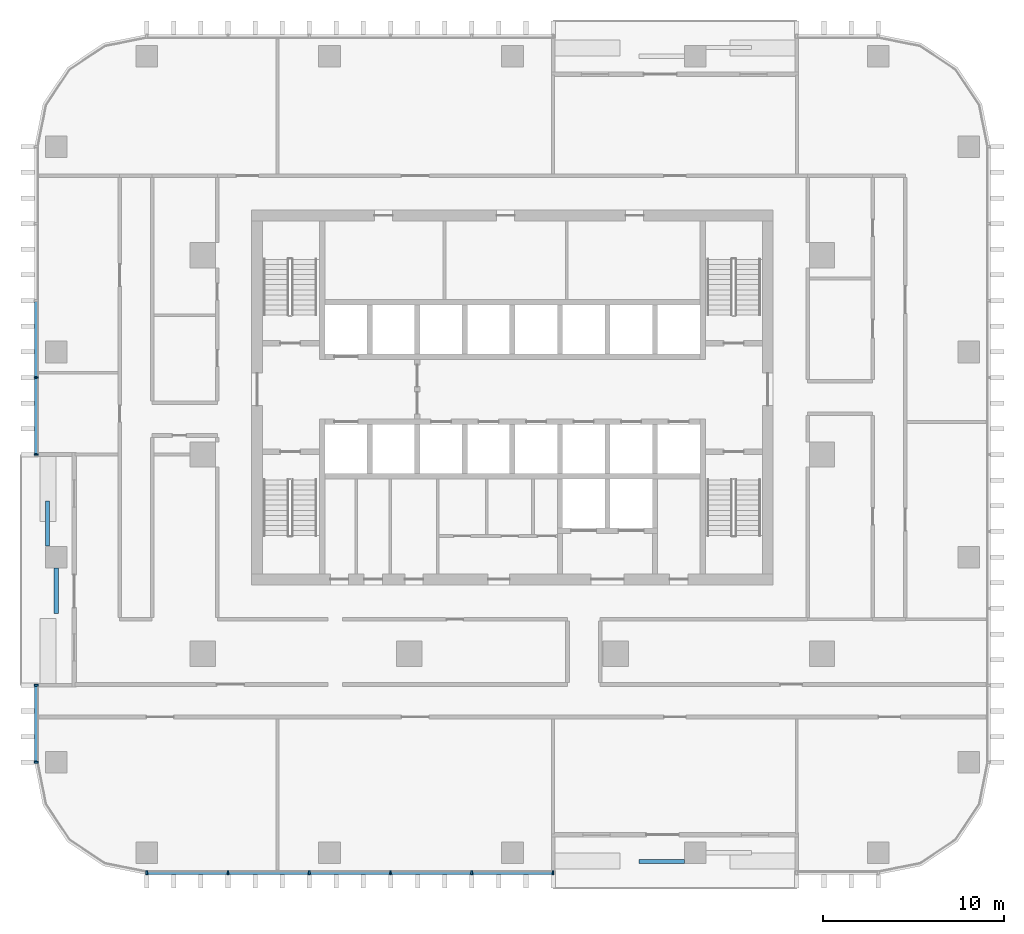
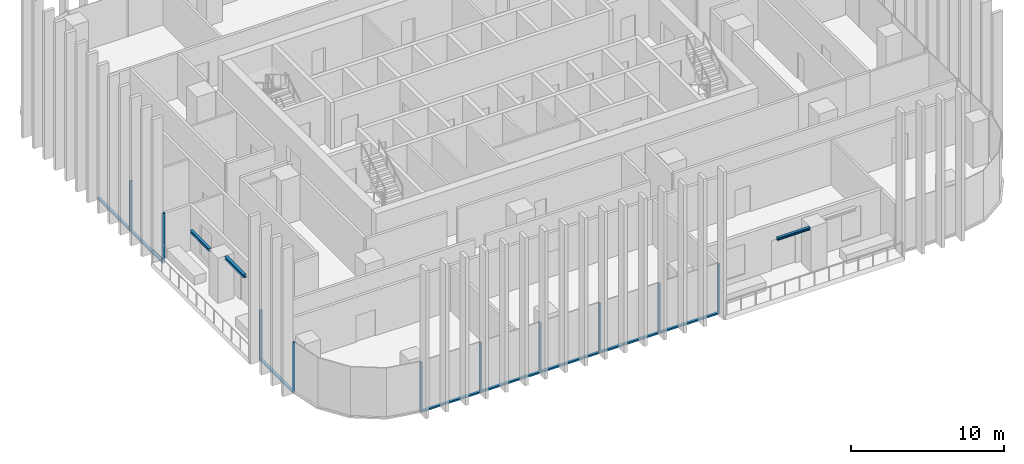
# One storey, part 2 of 16: 18 members, 3 beams, 3 elements without a shape of their own.
"""IFC4 building model written with IfcOpenShell, lengths in metres."""

from ifc_helpers import new_model, si_unit, direction, frame, origin, origin_2d, place, context, subcontext, project, spatial, rectangle, i_section, extrude, material, material_profile, profile_set, type_object, element, aggregate, save


model = new_model("IFC4")

# Units and contexts
model_context = context("Model", 3, precision=1e-05, world=origin(), true_north=direction((0.0, 1.0)))
body_context = subcontext(model_context, "Body", "Model", "MODEL_VIEW")
ifc_project = project(units=[si_unit("LENGTHUNIT", "METRE"), si_unit("AREAUNIT", "SQUARE_METRE"), si_unit("VOLUMEUNIT", "CUBIC_METRE"), si_unit("PLANEANGLEUNIT", "RADIAN"), si_unit("MASSUNIT", "GRAM", prefix="KILO")], contexts=[model_context])

# Site, building, storey
site_placement = place(None, origin())
site = spatial("IfcSite", under=ifc_project, at=site_placement, CompositionType="ELEMENT")
building_placement = place(site_placement, origin())
building = spatial("IfcBuilding", under=site, at=building_placement, Name="Mopane Tessera Tower", CompositionType="ELEMENT")
storey_placement = place(building_placement, frame((0.0, 0.0, 193.0)))
storey = spatial("IfcBuildingStorey", under=building, at=storey_placement, Name="L40", CompositionType="ELEMENT", Elevation=193.0)

# Curtain wall, members
ifc_material_1 = material(Name="Aluminium frame", Category="aluminium")
curtain_wall_type = type_object("IfcCurtainWallType", Name="Unitised curtain wall", PredefinedType="NOTDEFINED", material=ifc_material_1)
curtain_wall_1_placement = place(storey_placement, origin())
curtain_wall_1 = element("IfcCurtainWall", 1, at=curtain_wall_1_placement, inside=storey, type_object=curtain_wall_type, Name="e:cw:L40:S:0", PredefinedType="NOTDEFINED")
ifc_material_2 = material(Name="Aluminium frame", Category="aluminium")
ifc_material_profile_1 = material_profile(ifc_material_2, rectangle(XDim=0.10009765625, YDim=0.199951171875, at=origin_2d()))
ifc_profile_set_1 = profile_set([ifc_material_profile_1], Name="Aluminium frame")
member_type_1 = type_object("IfcMemberType", Name="Aluminium mullion 100 x 200", PredefinedType="MULLION", material=ifc_profile_set_1)
member_1_placement = place(storey_placement, frame((-20.199951171875, -23.10009765625, -0.39990234375), z_axis=(0.0, 0.0, 1.0), x_axis=(1.0, 0.0, 0.0)))
member_1 = element("IfcMember", 2, at=member_1_placement, type_object=member_type_1, Name="e:cw:L40:S:0:mu0", PredefinedType="MULLION", context=body_context, shape_type="SweptSolid", body=[
    extrude(rectangle(XDim=0.10009765625, YDim=0.199951171875, at=origin_2d()), origin(), (0.0, 0.0, 1.0), 4.0),
])
member_2_placement = place(storey_placement, frame((-15.711181640625, -23.10009765625, -0.39990234375), z_axis=(0.0, 0.0, 1.0), x_axis=(1.0, 0.0, 0.0)))
member_2 = element("IfcMember", 3, at=member_2_placement, type_object=member_type_1, Name="e:cw:L40:S:0:mu1", PredefinedType="MULLION", context=body_context, shape_type="SweptSolid", body=[
    extrude(rectangle(XDim=0.10009765625, YDim=0.199951171875, at=origin_2d()), origin(), (0.0, 0.0, 1.0), 4.0),
])
member_3_placement = place(storey_placement, frame((-11.22216796875, -23.10009765625, -0.39990234375), z_axis=(0.0, 0.0, 1.0), x_axis=(1.0, 0.0, 0.0)))
member_3 = element("IfcMember", 4, at=member_3_placement, type_object=member_type_1, Name="e:cw:L40:S:0:mu2", PredefinedType="MULLION", context=body_context, shape_type="SweptSolid", body=[
    extrude(rectangle(XDim=0.10009765625, YDim=0.199951171875, at=origin_2d()), origin(), (0.0, 0.0, 1.0), 4.0),
])
member_4_placement = place(storey_placement, frame((-6.7333984375, -23.10009765625, -0.39990234375), z_axis=(0.0, 0.0, 1.0), x_axis=(1.0, 0.0, 0.0)))
member_4 = element("IfcMember", 5, at=member_4_placement, type_object=member_type_1, Name="e:cw:L40:S:0:mu3", PredefinedType="MULLION", context=body_context, shape_type="SweptSolid", body=[
    extrude(rectangle(XDim=0.10009765625, YDim=0.199951171875, at=origin_2d()), origin(), (0.0, 0.0, 1.0), 4.0),
])
member_5_placement = place(storey_placement, frame((-2.244384765625, -23.10009765625, -0.39990234375), z_axis=(0.0, 0.0, 1.0), x_axis=(1.0, 0.0, 0.0)))
member_5 = element("IfcMember", 6, at=member_5_placement, type_object=member_type_1, Name="e:cw:L40:S:0:mu4", PredefinedType="MULLION", context=body_context, shape_type="SweptSolid", body=[
    extrude(rectangle(XDim=0.10009765625, YDim=0.199951171875, at=origin_2d()), origin(), (0.0, 0.0, 1.0), 4.0),
])
member_6_placement = place(storey_placement, frame((2.244384765625, -23.10009765625, -0.39990234375), z_axis=(0.0, 0.0, 1.0), x_axis=(1.0, 0.0, 0.0)))
member_6 = element("IfcMember", 7, at=member_6_placement, type_object=member_type_1, Name="e:cw:L40:S:0:mu5", PredefinedType="MULLION", context=body_context, shape_type="SweptSolid", body=[
    extrude(rectangle(XDim=0.10009765625, YDim=0.199951171875, at=origin_2d()), origin(), (0.0, 0.0, 1.0), 4.0),
])

curtain_wall_2_placement = place(storey_placement, origin())
curtain_wall_2 = element("IfcCurtainWall", 8, at=curtain_wall_2_placement, inside=storey, type_object=curtain_wall_type, Name="e:cw:L40:W:0", PredefinedType="NOTDEFINED")
member_7_placement = place(storey_placement, frame((-26.300048828125, 4.25, -0.39990234375), z_axis=(0.0, 0.0, 1.0), x_axis=(0.0, -1.0, 0.0)))
member_7 = element("IfcMember", 9, at=member_7_placement, type_object=member_type_1, Name="e:cw:L40:W:0:mu3", PredefinedType="MULLION", context=body_context, shape_type="SweptSolid", body=[
    extrude(rectangle(XDim=0.10009765625, YDim=0.199951171875, at=origin_2d()), origin(), (0.0, 0.0, 1.0), 4.0),
])
member_8_placement = place(storey_placement, frame((-26.300048828125, 0.0, -0.39990234375), z_axis=(0.0, 0.0, 1.0), x_axis=(0.0, -1.0, 0.0)))
member_8 = element("IfcMember", 10, at=member_8_placement, type_object=member_type_1, Name="e:cw:L40:W:0:mu4", PredefinedType="MULLION", context=body_context, shape_type="SweptSolid", body=[
    extrude(rectangle(XDim=0.10009765625, YDim=0.199951171875, at=origin_2d()), origin(), (0.0, 0.0, 1.0), 4.0),
])

curtain_wall_3_placement = place(storey_placement, origin())
curtain_wall_3 = element("IfcCurtainWall", 11, at=curtain_wall_3_placement, inside=storey, type_object=curtain_wall_type, Name="e:cw:L40:W:7", PredefinedType="NOTDEFINED")
member_9_placement = place(storey_placement, frame((-26.300048828125, -12.75, -0.39990234375), z_axis=(0.0, 0.0, 1.0), x_axis=(0.0, -1.0, 0.0)))
member_9 = element("IfcMember", 12, at=member_9_placement, type_object=member_type_1, Name="e:cw:L40:W:7:mu7", PredefinedType="MULLION", context=body_context, shape_type="SweptSolid", body=[
    extrude(rectangle(XDim=0.10009765625, YDim=0.199951171875, at=origin_2d()), origin(), (0.0, 0.0, 1.0), 4.0),
])
member_10_placement = place(storey_placement, frame((-26.300048828125, -17.0, -0.39990234375), z_axis=(0.0, 0.0, 1.0), x_axis=(0.0, -1.0, 0.0)))
member_10 = element("IfcMember", 13, at=member_10_placement, type_object=member_type_1, Name="e:cw:L40:W:7:mu8", PredefinedType="MULLION", context=body_context, shape_type="SweptSolid", body=[
    extrude(rectangle(XDim=0.10009765625, YDim=0.199951171875, at=origin_2d()), origin(), (0.0, 0.0, 1.0), 4.0),
])

# Member
ifc_material_3 = material(Name="Aluminium frame", Category="aluminium")
ifc_material_profile_2 = material_profile(ifc_material_3, rectangle(XDim=0.199951171875, YDim=0.1201171875, at=origin_2d()))
ifc_profile_set_2 = profile_set([ifc_material_profile_2], Name="Aluminium frame")
member_type_2 = type_object("IfcMemberType", Name="Aluminium transom 200 x 120", PredefinedType="USERDEFINED", material=ifc_profile_set_2)
member_11_placement = place(storey_placement, frame((-20.14990234375, -23.10009765625, -0.340087890625), z_axis=(1.0, 0.0, 0.0), x_axis=(0.0, 1.0, 0.0)))
member_11 = element("IfcMember", 14, at=member_11_placement, type_object=member_type_2, Name="e:cw:L40:S:0:tr0", ObjectType="TRANSOM", PredefinedType="USERDEFINED", context=body_context, shape_type="SweptSolid", body=[
    extrude(rectangle(XDim=0.199951171875, YDim=0.1201171875, at=origin_2d()), origin(), (0.0, 0.0, 1.0), 4.388671875),
])

member_12_placement = place(storey_placement, frame((-15.6611328125, -23.10009765625, -0.340087890625), z_axis=(1.0, 0.0, 0.0), x_axis=(0.0, 1.0, 0.0)))
member_12 = element("IfcMember", 15, at=member_12_placement, type_object=member_type_2, Name="e:cw:L40:S:0:tr1", ObjectType="TRANSOM", PredefinedType="USERDEFINED", context=body_context, shape_type="SweptSolid", body=[
    extrude(rectangle(XDim=0.199951171875, YDim=0.1201171875, at=origin_2d()), origin(), (0.0, 0.0, 1.0), 4.388916015625),
])

member_13_placement = place(storey_placement, frame((-11.172119140625, -23.10009765625, -0.340087890625), z_axis=(1.0, 0.0, 0.0), x_axis=(0.0, 1.0, 0.0)))
member_13 = element("IfcMember", 16, at=member_13_placement, type_object=member_type_2, Name="e:cw:L40:S:0:tr2", ObjectType="TRANSOM", PredefinedType="USERDEFINED", context=body_context, shape_type="SweptSolid", body=[
    extrude(rectangle(XDim=0.199951171875, YDim=0.1201171875, at=origin_2d()), origin(), (0.0, 0.0, 1.0), 4.388671875),
])

member_14_placement = place(storey_placement, frame((-6.683349609375, -23.10009765625, -0.340087890625), z_axis=(1.0, 0.0, 0.0), x_axis=(0.0, 1.0, 0.0)))
member_14 = element("IfcMember", 17, at=member_14_placement, type_object=member_type_2, Name="e:cw:L40:S:0:tr3", ObjectType="TRANSOM", PredefinedType="USERDEFINED", context=body_context, shape_type="SweptSolid", body=[
    extrude(rectangle(XDim=0.199951171875, YDim=0.1201171875, at=origin_2d()), origin(), (0.0, 0.0, 1.0), 4.388916015625),
])

member_15_placement = place(storey_placement, frame((-2.1943359375, -23.10009765625, -0.340087890625), z_axis=(1.0, 0.0, 0.0), x_axis=(0.0, 1.0, 0.0)))
member_15 = element("IfcMember", 18, at=member_15_placement, type_object=member_type_2, Name="e:cw:L40:S:0:tr4", ObjectType="TRANSOM", PredefinedType="USERDEFINED", context=body_context, shape_type="SweptSolid", body=[
    extrude(rectangle(XDim=0.199951171875, YDim=0.1201171875, at=origin_2d()), origin(), (0.0, 0.0, 1.0), 4.388671875),
])

aggregate(curtain_wall_1, [member_1, member_2, member_3, member_4, member_5, member_6, member_11, member_12, member_13, member_14, member_15])

member_16_placement = place(storey_placement, frame((-26.300048828125, 8.449951171875, -0.340087890625), z_axis=(0.0, -1.0, 0.0), x_axis=(1.0, 0.0, 0.0)))
member_16 = element("IfcMember", 19, at=member_16_placement, type_object=member_type_2, Name="e:cw:L40:W:0:tr2", ObjectType="TRANSOM", PredefinedType="USERDEFINED", context=body_context, shape_type="SweptSolid", body=[
    extrude(rectangle(XDim=0.199951171875, YDim=0.1201171875, at=origin_2d()), origin(), (0.0, 0.0, 1.0), 4.14990234375),
])

member_17_placement = place(storey_placement, frame((-26.300048828125, 4.199951171875, -0.340087890625), z_axis=(0.0, -1.0, 0.0), x_axis=(1.0, 0.0, 0.0)))
member_17 = element("IfcMember", 20, at=member_17_placement, type_object=member_type_2, Name="e:cw:L40:W:0:tr3", ObjectType="TRANSOM", PredefinedType="USERDEFINED", context=body_context, shape_type="SweptSolid", body=[
    extrude(rectangle(XDim=0.199951171875, YDim=0.1201171875, at=origin_2d()), origin(), (0.0, 0.0, 1.0), 4.14990234375),
])

aggregate(curtain_wall_2, [member_7, member_8, member_16, member_17])

member_18_placement = place(storey_placement, frame((-26.300048828125, -12.800048828125, -0.340087890625), z_axis=(0.0, -1.0, 0.0), x_axis=(1.0, 0.0, 0.0)))
member_18 = element("IfcMember", 21, at=member_18_placement, type_object=member_type_2, Name="e:cw:L40:W:7:tr7", ObjectType="TRANSOM", PredefinedType="USERDEFINED", context=body_context, shape_type="SweptSolid", body=[
    extrude(rectangle(XDim=0.199951171875, YDim=0.1201171875, at=origin_2d()), origin(), (0.0, 0.0, 1.0), 4.14990234375),
])

aggregate(curtain_wall_3, [member_9, member_10, member_18])

# Beams
ifc_material_4 = material(Name="Structural steel S460", Category="steel")
ifc_material_profile_3 = material_profile(ifc_material_4, i_section(OverallWidth=0.239990234375, OverallDepth=0.239990234375, WebThickness=0.010009765625, FlangeThickness=0.01708984375, FilletRadius=0.02099609375, at=origin_2d()))
ifc_profile_set_3 = profile_set([ifc_material_profile_3], Name="Structural steel S460")
beam_type_1 = type_object("IfcBeamType", Name="Terrace spandrel beam HE 240 B", PredefinedType="SPANDREL", material=ifc_profile_set_3)
beam_placement = place(storey_placement, frame((-25.199951171875, -6.269775390625, 3.47998046875), z_axis=(0.0, -1.0, 0.0), x_axis=(1.0, 0.0, 0.0)))
element("IfcBeam", 22, at=beam_placement, inside=storey, type_object=beam_type_1, Name="Terrace spandrel beam N1 L41", PredefinedType="SPANDREL", context=body_context, shape_type="SweptSolid", body=[
    extrude(i_section(OverallWidth=0.239990234375, OverallDepth=0.239990234375, WebThickness=0.010009765625, FlangeThickness=0.01708984375, FilletRadius=0.02099609375, at=origin_2d()), origin(), (0.0, 0.0, 1.0), 2.5),
])
ifc_material_5 = material(Name="Structural steel S460", Category="steel")
ifc_material_profile_4 = material_profile(ifc_material_5, i_section(OverallWidth=0.199951171875, OverallDepth=0.199951171875, WebThickness=0.009033203125, FlangeThickness=0.014892578125, FilletRadius=0.01806640625, at=origin_2d()))
ifc_profile_set_4 = profile_set([ifc_material_profile_4], Name="Structural steel S460")
beam_type_2 = type_object("IfcBeamType", Name="Terrace trimmer beam HE 200 B", PredefinedType="BEAM", material=ifc_profile_set_4)
for number, where, z_axis, x_axis, name in (
    (23, (-25.679931640625, -5.063720703125, 3.5), (0.0, 1.0, 0.0), (-1.0, 0.0, 0.0), "Terrace trimmer beam N1 L41"),
    (24, (9.4970703125, -22.47998046875, 3.5), (-1.0, 0.0, 0.0), (0.0, -1.0, 0.0), "Terrace trimmer beam N2 L41"),
):
    element("IfcBeam", number, at=place(storey_placement, frame(where, z_axis=z_axis, x_axis=x_axis)), inside=storey, type_object=beam_type_2, Name=name, PredefinedType="BEAM", context=body_context, shape_type="SweptSolid", body=[
        extrude(i_section(OverallWidth=0.199951171875, OverallDepth=0.199951171875, WebThickness=0.009033203125, FlangeThickness=0.014892578125, FilletRadius=0.01806640625, at=origin_2d()), origin(), (0.0, 0.0, 1.0), 2.5),
    ])

save(model, "model.ifc")
